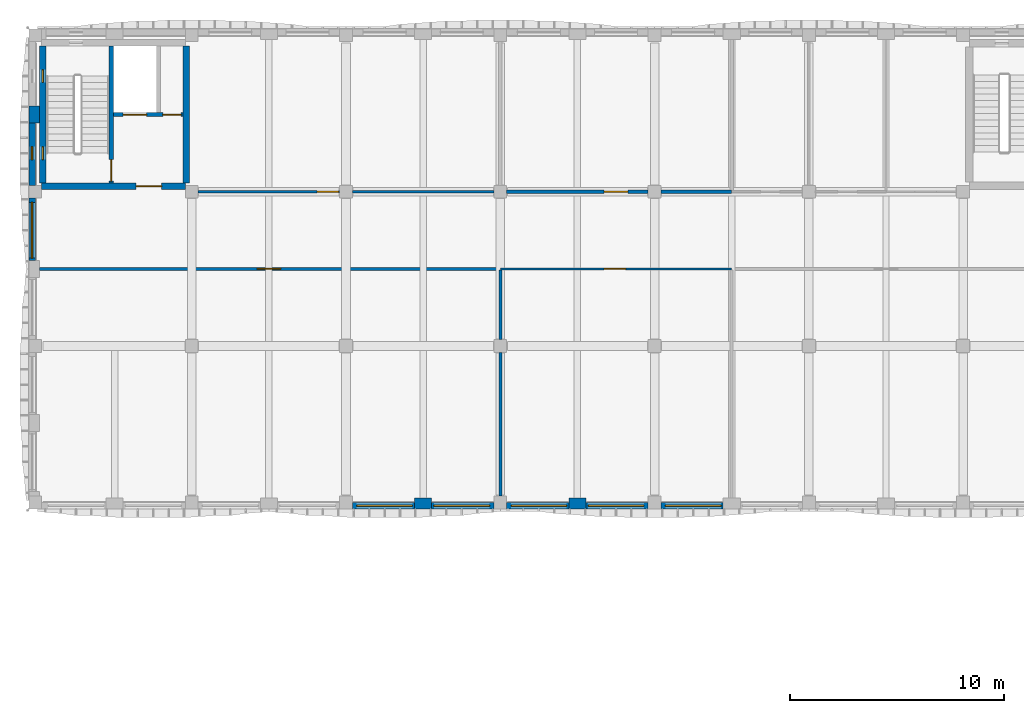
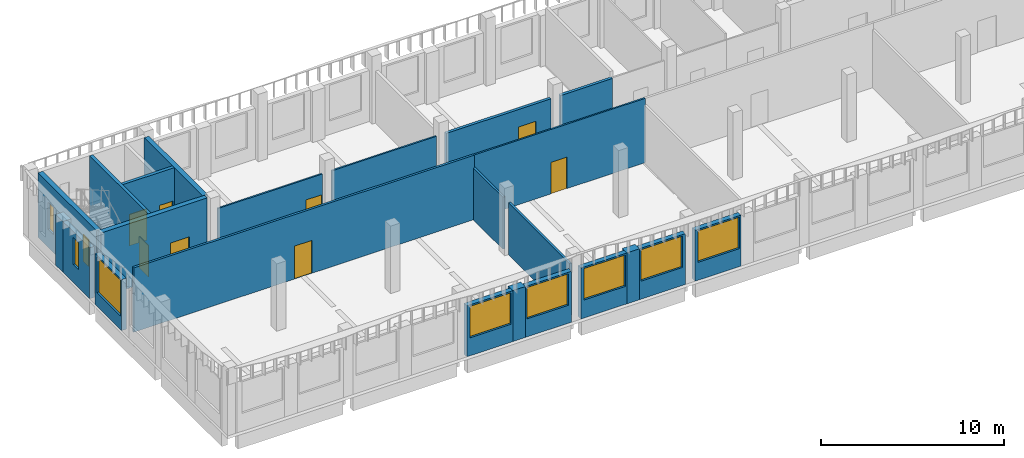
# One storey, part 17 of 44: 23 walls, 9 windows, 8 doors, 17 openings.
"""IFC4 building model written with IfcOpenShell, lengths in metres."""

import ifcopenshell
import ifcopenshell.guid

model = None  # the IFC model being written
_history = None  # IfcOwnerHistory: only IFC2X3 demands one
_inside = {}  # id of a spatial element -> (the spatial element, [elements in it])
_under = {}  # id of a project, library or spatial element -> (it, [spatial elements below it])
_declared = {}  # id of a project -> (the project, [libraries it declares])
_typed = {}  # id of a type object -> (the type object, [elements of that type])
_made_of = {}  # id of a material, layer set ... -> (it, [elements and type objects made of it])


def new_model(schema):
    """Start an empty IFC model of exactly this schema.

    Asked for "IFC4X3", IfcOpenShell would pick the latest addendum, in which some entities
    have other attributes; the version numbers below select the first issue.
    IFC2X3 requires an IfcOwnerHistory on every rooted entity: one is made here for all.
    """
    global model, _history
    if schema == "IFC4X3":
        model = ifcopenshell.file(schema_version=(4, 3, 0, 0))
    else:
        model = ifcopenshell.file(schema=schema)
    _inside.clear()
    _under.clear()
    _declared.clear()
    _typed.clear()
    _made_of.clear()
    _history = None
    if model.schema == "IFC2X3":
        org = make("IfcOrganization", Name="unknown")
        user = make(
            "IfcPersonAndOrganization",
            ThePerson=make("IfcPerson", FamilyName="unknown"),
            TheOrganization=org,
        )
        app = make(
            "IfcApplication",
            ApplicationDeveloper=org,
            Version="unknown",
            ApplicationFullName="unknown",
            ApplicationIdentifier="unknown",
        )
        _history = make(
            "IfcOwnerHistory",
            OwningUser=user,
            OwningApplication=app,
            ChangeAction="ADDED",
            CreationDate=0,
        )
    return model


def make(cls, **values):
    """One entity of the class cls with the attributes given. An attribute that is None is left unset."""
    return model.create_entity(
        cls, **{name: value for name, value in values.items() if value is not None}
    )


def rooted(cls, **values):
    """An entity with a GlobalId (a new one), such as an element, a storey or a relation."""
    return make(cls, GlobalId=ifcopenshell.guid.new(), OwnerHistory=_history, **values)


def si_unit(unit_type, name, prefix=None):
    """IfcSIUnit, for example si_unit("LENGTHUNIT", "METRE", prefix="MILLI")."""
    return make("IfcSIUnit", UnitType=unit_type, Prefix=prefix, Name=name)


def assignment(units):
    """IfcUnitAssignment: the units of a project."""
    return None if units is None else make("IfcUnitAssignment", Units=units)


def point(xyz):
    """IfcCartesianPoint."""
    return None if xyz is None else make("IfcCartesianPoint", Coordinates=xyz)


def direction(xyz):
    """IfcDirection."""
    return None if xyz is None else make("IfcDirection", DirectionRatios=xyz)


def frame(location, z_axis=None, x_axis=None):
    """IfcAxis2Placement3D, a coordinate frame: its origin and axes. An axis left out is left unset."""
    return make(
        "IfcAxis2Placement3D",
        Location=point(location),
        Axis=direction(z_axis),
        RefDirection=direction(x_axis),
    )


def frame_2d(location, x_axis=None):
    """IfcAxis2Placement2D, a coordinate frame in the plane: its origin and x axis."""
    return make(
        "IfcAxis2Placement2D", Location=point(location), RefDirection=direction(x_axis)
    )


def origin():
    """The frame at (0, 0, 0) with its axes left unset."""
    return frame((0.0, 0.0, 0.0))


def place(relative_to, where):
    """IfcLocalPlacement: puts the frame where relative to a parent placement (None: the world)."""
    return make(
        "IfcLocalPlacement", PlacementRelTo=relative_to, RelativePlacement=where
    )


def context(
    kind, dimensions, precision=None, world=None, true_north=None, identifier=None
):
    """IfcGeometricRepresentationContext, for example the 3D "Model" context."""
    return make(
        "IfcGeometricRepresentationContext",
        ContextIdentifier=identifier,
        ContextType=kind,
        CoordinateSpaceDimension=dimensions,
        Precision=precision,
        WorldCoordinateSystem=world,
        TrueNorth=true_north,
    )


def subcontext(parent, identifier, kind, view, scale=None):
    """IfcGeometricRepresentationSubContext, for example "Body" below "Model"."""
    return make(
        "IfcGeometricRepresentationSubContext",
        ContextIdentifier=identifier,
        ContextType=kind,
        ParentContext=parent,
        TargetScale=scale,
        TargetView=view,
    )


def project(units=None, contexts=None):
    """IfcProject with its units and contexts."""
    return rooted(
        "IfcProject",
        Name="project",
        RepresentationContexts=contexts,
        UnitsInContext=assignment(units),
    )


def spatial(cls, under=None, at=None, **own):
    """A site, building, storey or space (cls), placed at a placement, below another one or the project."""
    s = rooted(cls, ObjectPlacement=at, **own)
    if under is not None:
        _under.setdefault(under.id(), (under, []))[1].append(s)
    return s


def profile(cls, at=None, kind="AREA", **sizes):
    """A parametric profile (cls). Its sizes go by their IFC names, for example OverallWidth=200.0."""
    return make(cls, ProfileType=kind, Position=at, **sizes)


def rectangle(**sizes):
    """IfcRectangleProfileDef."""
    return profile("IfcRectangleProfileDef", **sizes)


def extrude(swept, where, along, depth):
    """IfcExtrudedAreaSolid: the profile swept, set in the frame where, extruded along a direction by depth."""
    return make(
        "IfcExtrudedAreaSolid",
        SweptArea=swept,
        Position=where,
        ExtrudedDirection=direction(along),
        Depth=depth,
    )


def shape(context_of_items, identifier, shape_type, items):
    """IfcShapeRepresentation: the items that make up one representation, for example the "Body"."""
    return make(
        "IfcShapeRepresentation",
        ContextOfItems=context_of_items,
        RepresentationIdentifier=identifier,
        RepresentationType=shape_type,
        Items=items,
    )


def material(Name=None, Category=None):
    """IfcMaterial."""
    return make("IfcMaterial", Name=Name, Category=Category)


def layer(
    of_material, thickness, ventilated=None, Name=None, Category=None, Priority=None
):
    """IfcMaterialLayer: one layer of a wall or slab, of a material (None: an air gap)."""
    return make(
        "IfcMaterialLayer",
        Material=of_material,
        LayerThickness=thickness,
        IsVentilated=ventilated,
        Name=Name,
        Category=Category,
        Priority=Priority,
    )


def layer_set(layers, Name=None):
    """IfcMaterialLayerSet."""
    return make("IfcMaterialLayerSet", MaterialLayers=layers, LayerSetName=Name)


def made_of(thing, what):
    """Note that an element or type object is made of a material, layer set ...; save() writes the relation."""
    if what is not None:
        _made_of.setdefault(what.id(), (what, []))[1].append(thing)
    return thing


def type_object(cls, material=None, **own):
    """A type object (cls), such as IfcWallType, which elements share."""
    return made_of(rooted(cls, **own), material)


def element(
    cls,
    number,
    at=None,
    inside=None,
    cuts=None,
    type_object=None,
    material=None,
    context=None,
    identifier="Body",
    shape_type=None,
    held_by="IfcProductDefinitionShape",
    body=None,
    shapes=None,
    **own,
):
    """One element of the class cls, such as IfcWall. Its Tag is "e" and its number.

    at: its placement. inside: the storey or other place that contains it. cuts: it is an
    opening in that element (IfcRelVoidsElement). A single representation is given by context,
    identifier, shape_type and body (its items); several are given by shapes. held_by: the class
    of the entity that holds the representations. save() writes the other relations.
    """
    e = rooted(cls, Tag="e%d" % number, ObjectPlacement=at, **own)
    if body is not None:
        shapes = [shape(context, identifier, shape_type, body)]
    if shapes is not None:
        e.Representation = make(held_by, Representations=shapes)
    if inside is not None:
        _inside.setdefault(inside.id(), (inside, []))[1].append(e)
    if cuts is not None:
        rooted(
            "IfcRelVoidsElement", RelatingBuildingElement=cuts, RelatedOpeningElement=e
        )
    if type_object is not None:
        _typed.setdefault(type_object.id(), (type_object, []))[1].append(e)
    return made_of(e, material)


def fill(opening, filler):
    """IfcRelFillsElement: the door or window that sits in an opening."""
    return rooted(
        "IfcRelFillsElement",
        RelatingOpeningElement=opening,
        RelatedBuildingElement=filler,
    )


def aggregate(whole, parts):
    """IfcRelAggregates: a whole, such as a stair, and the parts it consists of."""
    return rooted("IfcRelAggregates", RelatingObject=whole, RelatedObjects=parts)


def save(model, path):
    """Write the relations noted so far, then the file.

    IfcRelAggregates (storeys below a building ...), IfcRelContainedInSpatialStructure (elements
    in a storey), IfcRelDefinesByType, IfcRelAssociatesMaterial and IfcRelDeclares: one each for
    every whole, place, type object, material and project.
    """
    for whole, parts in _under.values():
        aggregate(whole, parts)
    for where, things in _inside.values():
        rooted(
            "IfcRelContainedInSpatialStructure",
            RelatedElements=things,
            RelatingStructure=where,
        )
    for kind, things in _typed.values():
        rooted("IfcRelDefinesByType", RelatedObjects=things, RelatingType=kind)
    for what, things in _made_of.values():
        rooted("IfcRelAssociatesMaterial", RelatedObjects=things, RelatingMaterial=what)
    for by, libraries in _declared.values():
        rooted("IfcRelDeclares", RelatingContext=by, RelatedDefinitions=libraries)
    model.write(path)


model = new_model("IFC4")

# Units and contexts
model_context = context("Model", 3, precision=1e-05, world=origin(), true_north=direction((0.0, 1.0)))
body_context = subcontext(model_context, "Body", "Model", "MODEL_VIEW")
ifc_project = project(units=[si_unit("LENGTHUNIT", "METRE"), si_unit("AREAUNIT", "SQUARE_METRE"), si_unit("VOLUMEUNIT", "CUBIC_METRE"), si_unit("PLANEANGLEUNIT", "RADIAN"), si_unit("MASSUNIT", "GRAM", prefix="KILO")], contexts=[model_context])

# Site, building, storey
site_placement = place(None, origin())
site = spatial("IfcSite", under=ifc_project, at=site_placement, CompositionType="ELEMENT")
building_placement = place(site_placement, origin())
building = spatial("IfcBuilding", under=site, at=building_placement, Name="Ussher Court Research Institute", CompositionType="ELEMENT")
storey_placement = place(building_placement, frame((0.0, 0.0, 18.89990234375)))
storey = spatial("IfcBuildingStorey", under=building, at=storey_placement, Name="L04", CompositionType="ELEMENT", Elevation=18.89990234375)

# Wall, opening, door
ifc_material_1 = material(Name="Plasterboard on steel studs with mineral wool", Category="steel")
ifc_layer_1 = layer(ifc_material_1, 0.179931640625)
ifc_layer_set_1 = layer_set([ifc_layer_1], Name="Plasterboard on steel studs with mineral wool")
wall_type_1 = type_object("IfcWallType", Name="Acoustic twin-stud partition 180", PredefinedType="PARTITIONING", material=ifc_layer_set_1)
wall_1_placement = place(storey_placement, frame((24.89990234375, 83.199951171875, 0.0), z_axis=(0.0, 0.0, 1.0), x_axis=(1.0, 0.0, 0.0)))
wall_1 = element("IfcWall", 1, at=wall_1_placement, inside=storey, type_object=wall_type_1, Name="Partition", PredefinedType="PARTITIONING", context=body_context, shape_type="SweptSolid", body=[
    extrude(rectangle(XDim=6.60009765625, YDim=0.179931640625, at=frame_2d((3.300048828125, 0.0))), origin(), (0.0, 0.0, 1.0), 3.47021484375),
])
opening_1_placement = place(wall_1_placement, frame((4.550048828125, 0.0, 0.0)))
opening_1 = element("IfcOpeningElement", 2, at=opening_1_placement, cuts=wall_1, Name="Opening D04007", PredefinedType="OPENING", context=body_context, shape_type="SweptSolid", body=[
    extrude(rectangle(XDim=1.10009765625, YDim=2.300048828125, at=frame_2d((0.550048828125, 1.14990234375))), frame((0.0, 0.10009765625, 0.0), z_axis=(0.0, -1.0, 0.0), x_axis=(1.0, 0.0, 0.0)), (0.0, 0.0, 1.0), 0.199951171875),
])
ifc_material_2 = material(Name="Veneered timber door", Category="wood")
door_type_1 = type_object("IfcDoorType", Name="Seminar room door 1100x2300", OperationType="NOTDEFINED", PredefinedType="DOOR", material=ifc_material_2)
door_1_placement = place(opening_1_placement, origin())
door_1 = element("IfcDoor", 3, at=door_1_placement, inside=storey, type_object=door_type_1, Name="Door D04007", OperationType="SINGLE_SWING_RIGHT", OverallHeight=2.300048828125, OverallWidth=1.10009765625, PredefinedType="DOOR", context=body_context, shape_type="SweptSolid", body=[
    extrude(rectangle(XDim=1.10009765625, YDim=2.300048828125, at=frame_2d((0.550048828125, 1.14990234375))), frame((0.0, 0.02490234375, 0.0), z_axis=(0.0, -1.0, 0.0), x_axis=(1.0, 0.0, 0.0)), (0.0, 0.0, 1.0), 0.050048828125),
])
fill(opening_1, door_1)

# Wall
wall_2_placement = place(storey_placement, frame((32.10009765625, 83.199951171875, 0.0), z_axis=(0.0, 0.0, 1.0), x_axis=(1.0, 0.0, 0.0)))
element("IfcWall", 4, at=wall_2_placement, inside=storey, type_object=wall_type_1, Name="Partition", PredefinedType="PARTITIONING", context=body_context, shape_type="SweptSolid", body=[
    extrude(rectangle(XDim=3.2998046875, YDim=0.179931640625, at=frame_2d((1.64990234375, 0.0))), origin(), (0.0, 0.0, 1.0), 3.47021484375),
])

# Wall, opening, window
ifc_material_3 = material(Name="Blockwork with cream render", Category="masonry")
ifc_layer_2 = layer(ifc_material_3, 0.300048828125)
ifc_layer_set_2 = layer_set([ifc_layer_2], Name="Blockwork with cream render")
wall_type_2 = type_object("IfcWallType", Name="External wall 300 cream render", PredefinedType="SOLIDWALL", material=ifc_layer_set_2)
wall_3_placement = place(storey_placement, frame((35.0, 68.550048828125, 0.0), z_axis=(0.0, 0.0, 1.0), x_axis=(-1.0, 0.0, 0.0)))
wall_3 = element("IfcWall", 5, at=wall_3_placement, inside=storey, type_object=wall_type_2, Name="External wall EW1 L04", PredefinedType="SOLIDWALL", context=body_context, shape_type="SweptSolid", body=[
    extrude(rectangle(XDim=2.89990234375, YDim=0.300048828125, at=frame_2d((1.449951171875, 0.0))), origin(), (0.0, 0.0, 1.0), 3.400146484375),
])
opening_2_placement = place(wall_3_placement, frame((0.10009765625, 0.0, 1.199951171875)))
opening_2 = element("IfcOpeningElement", 6, at=opening_2_placement, cuts=wall_3, Name="Opening W08", PredefinedType="OPENING", context=body_context, shape_type="SweptSolid", body=[
    extrude(rectangle(XDim=2.60009765625, YDim=2.10009765625, at=frame_2d((1.300048828125, 1.050048828125))), frame((0.0, 0.16015625, 0.0), z_axis=(0.0, -1.0, 0.0), x_axis=(1.0, 0.0, 0.0)), (0.0, 0.0, 1.0), 0.320068359375),
])
ifc_material_4 = material(Name="Bronze anodised aluminium with double glazing", Category="aluminium")
window_type_1 = type_object("IfcWindowType", Name="Dry laboratory bay window 2600x2100", PartitioningType="DOUBLE_PANEL_VERTICAL", PredefinedType="WINDOW", material=ifc_material_4)
window_1_placement = place(opening_2_placement, origin())
window_1 = element("IfcWindow", 7, at=window_1_placement, inside=storey, type_object=window_type_1, Name="Window W08 L04", OverallHeight=2.10009765625, OverallWidth=2.60009765625, PartitioningType="SINGLE_PANEL", PredefinedType="WINDOW", context=body_context, shape_type="SweptSolid", body=[
    extrude(rectangle(XDim=2.60009765625, YDim=2.10009765625, at=frame_2d((1.300048828125, 1.050048828125))), frame((0.0, 0.030029296875, 0.0), z_axis=(0.0, -1.0, 0.0), x_axis=(1.0, 0.0, 0.0)), (0.0, 0.0, 1.0), 0.06005859375),
])
fill(opening_2, window_1)

wall_4_placement = place(storey_placement, frame((31.5, 68.550048828125, 0.0), z_axis=(0.0, 0.0, 1.0), x_axis=(-1.0, 0.0, 0.0)))
wall_4 = element("IfcWall", 8, at=wall_4_placement, inside=storey, type_object=wall_type_2, Name="External wall EW1 L04", PredefinedType="SOLIDWALL", context=body_context, shape_type="SweptSolid", body=[
    extrude(rectangle(XDim=2.89990234375, YDim=0.300048828125, at=frame_2d((1.449951171875, 0.0))), origin(), (0.0, 0.0, 1.0), 3.400146484375),
])
opening_3_placement = place(wall_4_placement, frame((0.199951171875, 0.0, 1.199951171875)))
opening_3 = element("IfcOpeningElement", 9, at=opening_3_placement, cuts=wall_4, Name="Opening W08", PredefinedType="OPENING", context=body_context, shape_type="SweptSolid", body=[
    extrude(rectangle(XDim=2.60009765625, YDim=2.10009765625, at=frame_2d((1.300048828125, 1.050048828125))), frame((0.0, 0.16015625, 0.0), z_axis=(0.0, -1.0, 0.0), x_axis=(1.0, 0.0, 0.0)), (0.0, 0.0, 1.0), 0.320068359375),
])
window_2_placement = place(opening_3_placement, origin())
window_2 = element("IfcWindow", 10, at=window_2_placement, inside=storey, type_object=window_type_1, Name="Window W08 L04", OverallHeight=2.10009765625, OverallWidth=2.60009765625, PartitioningType="SINGLE_PANEL", PredefinedType="WINDOW", context=body_context, shape_type="SweptSolid", body=[
    extrude(rectangle(XDim=2.60009765625, YDim=2.10009765625, at=frame_2d((1.300048828125, 1.050048828125))), frame((0.0, 0.030029296875, 0.0), z_axis=(0.0, -1.0, 0.0), x_axis=(1.0, 0.0, 0.0)), (0.0, 0.0, 1.0), 0.06005859375),
])
fill(opening_3, window_2)

wall_5_placement = place(storey_placement, frame((27.800048828125, 68.550048828125, 0.0), z_axis=(0.0, 0.0, 1.0), x_axis=(-1.0, 0.0, 0.0)))
wall_5 = element("IfcWall", 11, at=wall_5_placement, inside=storey, type_object=wall_type_2, Name="External wall EW1 L04", PredefinedType="SOLIDWALL", context=body_context, shape_type="SweptSolid", body=[
    extrude(rectangle(XDim=2.900146484375, YDim=0.300048828125, at=frame_2d((1.4501953125, 0.0))), origin(), (0.0, 0.0, 1.0), 3.400146484375),
])
opening_4_placement = place(wall_5_placement, frame((0.10009765625, 0.0, 1.199951171875)))
opening_4 = element("IfcOpeningElement", 12, at=opening_4_placement, cuts=wall_5, Name="Opening W08", PredefinedType="OPENING", context=body_context, shape_type="SweptSolid", body=[
    extrude(rectangle(XDim=2.60009765625, YDim=2.10009765625, at=frame_2d((1.300048828125, 1.050048828125))), frame((0.0, 0.16015625, 0.0), z_axis=(0.0, -1.0, 0.0), x_axis=(1.0, 0.0, 0.0)), (0.0, 0.0, 1.0), 0.320068359375),
])
window_3_placement = place(opening_4_placement, origin())
window_3 = element("IfcWindow", 13, at=window_3_placement, inside=storey, type_object=window_type_1, Name="Window W08 L04", OverallHeight=2.10009765625, OverallWidth=2.60009765625, PartitioningType="SINGLE_PANEL", PredefinedType="WINDOW", context=body_context, shape_type="SweptSolid", body=[
    extrude(rectangle(XDim=2.60009765625, YDim=2.10009765625, at=frame_2d((1.300048828125, 1.050048828125))), frame((0.0, 0.030029296875, 0.0), z_axis=(0.0, -1.0, 0.0), x_axis=(1.0, 0.0, 0.0)), (0.0, 0.0, 1.0), 0.06005859375),
])
fill(opening_4, window_3)

wall_6_placement = place(storey_placement, frame((24.300048828125, 68.550048828125, 0.0), z_axis=(0.0, 0.0, 1.0), x_axis=(-1.0, 0.0, 0.0)))
wall_6 = element("IfcWall", 14, at=wall_6_placement, inside=storey, type_object=wall_type_2, Name="External wall EW1 L04", PredefinedType="SOLIDWALL", context=body_context, shape_type="SweptSolid", body=[
    extrude(rectangle(XDim=2.900146484375, YDim=0.300048828125, at=frame_2d((1.4501953125, 0.0))), origin(), (0.0, 0.0, 1.0), 3.400146484375),
])
opening_5_placement = place(wall_6_placement, frame((0.199951171875, 0.0, 1.199951171875)))
opening_5 = element("IfcOpeningElement", 15, at=opening_5_placement, cuts=wall_6, Name="Opening W08", PredefinedType="OPENING", context=body_context, shape_type="SweptSolid", body=[
    extrude(rectangle(XDim=2.60009765625, YDim=2.10009765625, at=frame_2d((1.300048828125, 1.050048828125))), frame((0.0, 0.16015625, 0.0), z_axis=(0.0, -1.0, 0.0), x_axis=(1.0, 0.0, 0.0)), (0.0, 0.0, 1.0), 0.320068359375),
])
window_4_placement = place(opening_5_placement, origin())
window_4 = element("IfcWindow", 16, at=window_4_placement, inside=storey, type_object=window_type_1, Name="Window W08 L04", OverallHeight=2.10009765625, OverallWidth=2.60009765625, PartitioningType="SINGLE_PANEL", PredefinedType="WINDOW", context=body_context, shape_type="SweptSolid", body=[
    extrude(rectangle(XDim=2.60009765625, YDim=2.10009765625, at=frame_2d((1.300048828125, 1.050048828125))), frame((0.0, 0.030029296875, 0.0), z_axis=(0.0, -1.0, 0.0), x_axis=(1.0, 0.0, 0.0)), (0.0, 0.0, 1.0), 0.06005859375),
])
fill(opening_5, window_4)

wall_7_placement = place(storey_placement, frame((20.60009765625, 68.550048828125, 0.0), z_axis=(0.0, 0.0, 1.0), x_axis=(-1.0, 0.0, 0.0)))
wall_7 = element("IfcWall", 17, at=wall_7_placement, inside=storey, type_object=wall_type_2, Name="External wall EW1 L04", PredefinedType="SOLIDWALL", context=body_context, shape_type="SweptSolid", body=[
    extrude(rectangle(XDim=2.900146484375, YDim=0.300048828125, at=frame_2d((1.4501953125, 0.0))), origin(), (0.0, 0.0, 1.0), 3.400146484375),
])
opening_6_placement = place(wall_7_placement, frame((0.10009765625, 0.0, 1.199951171875)))
opening_6 = element("IfcOpeningElement", 18, at=opening_6_placement, cuts=wall_7, Name="Opening W08", PredefinedType="OPENING", context=body_context, shape_type="SweptSolid", body=[
    extrude(rectangle(XDim=2.60009765625, YDim=2.10009765625, at=frame_2d((1.300048828125, 1.050048828125))), frame((0.0, 0.16015625, 0.0), z_axis=(0.0, -1.0, 0.0), x_axis=(1.0, 0.0, 0.0)), (0.0, 0.0, 1.0), 0.320068359375),
])
window_5_placement = place(opening_6_placement, origin())
window_5 = element("IfcWindow", 19, at=window_5_placement, inside=storey, type_object=window_type_1, Name="Window W08 L04", OverallHeight=2.10009765625, OverallWidth=2.60009765625, PartitioningType="SINGLE_PANEL", PredefinedType="WINDOW", context=body_context, shape_type="SweptSolid", body=[
    extrude(rectangle(XDim=2.60009765625, YDim=2.10009765625, at=frame_2d((1.300048828125, 1.050048828125))), frame((0.0, 0.030029296875, 0.0), z_axis=(0.0, -1.0, 0.0), x_axis=(1.0, 0.0, 0.0)), (0.0, 0.0, 1.0), 0.06005859375),
])
fill(opening_6, window_5)

wall_8_placement = place(storey_placement, frame((2.75, 80.0, 0.0), z_axis=(0.0, 0.0, 1.0), x_axis=(0.0, 1.0, 0.0)))
wall_8 = element("IfcWall", 20, at=wall_8_placement, inside=storey, type_object=wall_type_2, Name="External wall EW1 L04", PredefinedType="SOLIDWALL", context=body_context, shape_type="SweptSolid", body=[
    extrude(rectangle(XDim=2.89990234375, YDim=0.300048828125, at=frame_2d((1.449951171875, 0.0))), origin(), (0.0, 0.0, 1.0), 3.400146484375),
])
opening_7_placement = place(wall_8_placement, frame((0.10009765625, 0.0, 0.89990234375)))
opening_7 = element("IfcOpeningElement", 21, at=opening_7_placement, cuts=wall_8, Name="Opening W01", PredefinedType="OPENING", context=body_context, shape_type="SweptSolid", body=[
    extrude(rectangle(XDim=2.60009765625, YDim=2.39990234375, at=frame_2d((1.300048828125, 1.199951171875))), frame((0.0, 0.16015625, 0.0), z_axis=(0.0, -1.0, 0.0), x_axis=(1.0, 0.0, 0.0)), (0.0, 0.0, 1.0), 0.320068359375),
])
ifc_material_5 = material(Name="Bronze anodised aluminium with double glazing", Category="aluminium")
window_type_2 = type_object("IfcWindowType", Name="Laboratory bay window 2600x2400", PartitioningType="DOUBLE_PANEL_VERTICAL", PredefinedType="WINDOW", material=ifc_material_5)
window_6_placement = place(opening_7_placement, origin())
window_6 = element("IfcWindow", 22, at=window_6_placement, inside=storey, type_object=window_type_2, Name="Window W01 L04", OverallHeight=2.39990234375, OverallWidth=2.60009765625, PartitioningType="SINGLE_PANEL", PredefinedType="WINDOW", context=body_context, shape_type="SweptSolid", body=[
    extrude(rectangle(XDim=2.60009765625, YDim=2.39990234375, at=frame_2d((1.300048828125, 1.199951171875))), frame((0.0, 0.030029296875, 0.0), z_axis=(0.0, -1.0, 0.0), x_axis=(1.0, 0.0, 0.0)), (0.0, 0.0, 1.0), 0.06005859375),
])
fill(opening_7, window_6)

ifc_material_6 = material(Name="Limestone facing on blockwork", Category="masonry")
ifc_layer_3 = layer(ifc_material_6, 0.300048828125)
ifc_layer_set_3 = layer_set([ifc_layer_3], Name="Limestone facing on blockwork")
wall_type_3 = type_object("IfcWallType", Name="External wall 300 stair enclosure", PredefinedType="SOLIDWALL", material=ifc_layer_set_3)
wall_9_placement = place(storey_placement, frame((2.75, 83.5, 0.0), z_axis=(0.0, 0.0, 1.0), x_axis=(0.0, 1.0, 0.0)))
wall_9 = element("IfcWall", 23, at=wall_9_placement, inside=storey, type_object=wall_type_3, Name="External wall EW5 L04", PredefinedType="SOLIDWALL", context=body_context, shape_type="SweptSolid", body=[
    extrude(rectangle(XDim=2.89990234375, YDim=0.300048828125, at=frame_2d((1.449951171875, 0.0))), origin(), (0.0, 0.0, 1.0), 3.400146484375),
])
opening_8_placement = place(wall_9_placement, frame((1.199951171875, 0.0, 1.199951171875)))
opening_8 = element("IfcOpeningElement", 24, at=opening_8_placement, cuts=wall_9, Name="Opening W25", PredefinedType="OPENING", context=body_context, shape_type="SweptSolid", body=[
    extrude(rectangle(XDim=0.60009765625, YDim=1.800048828125, at=frame_2d((0.300048828125, 0.89990234375))), frame((0.0, 0.16015625, 0.0), z_axis=(0.0, -1.0, 0.0), x_axis=(1.0, 0.0, 0.0)), (0.0, 0.0, 1.0), 0.320068359375),
])
ifc_material_7 = material(Name="Bronze anodised aluminium with double glazing", Category="aluminium")
window_type_3 = type_object("IfcWindowType", Name="Stair light slot window 600x1800 fire-resisting glazing", PartitioningType="SINGLE_PANEL", PredefinedType="WINDOW", material=ifc_material_7)
window_7_placement = place(opening_8_placement, origin())
window_7 = element("IfcWindow", 25, at=window_7_placement, inside=storey, type_object=window_type_3, Name="Window W25 L04", OverallHeight=1.800048828125, OverallWidth=0.60009765625, PartitioningType="SINGLE_PANEL", PredefinedType="WINDOW", context=body_context, shape_type="SweptSolid", body=[
    extrude(rectangle(XDim=0.60009765625, YDim=1.800048828125, at=frame_2d((0.300048828125, 0.89990234375))), frame((0.0, 0.030029296875, 0.0), z_axis=(0.0, -1.0, 0.0), x_axis=(1.0, 0.0, 0.0)), (0.0, 0.0, 1.0), 0.06005859375),
])
fill(opening_8, window_7)

# Wall, opening, door
ifc_material_8 = material(Name="Plastered blockwork", Category="masonry")
ifc_layer_4 = layer(ifc_material_8, 0.139892578125)
ifc_layer_set_4 = layer_set([ifc_layer_4], Name="Plastered blockwork")
wall_type_4 = type_object("IfcWallType", Name="Laboratory blockwork partition 140", PredefinedType="PARTITIONING", material=ifc_layer_set_4)
wall_10_placement = place(storey_placement, frame((24.60009765625, 79.60009765625, 0.0), z_axis=(0.0, 0.0, 1.0), x_axis=(-1.0, 0.0, 0.0)))
wall_10 = element("IfcWall", 26, at=wall_10_placement, inside=storey, type_object=wall_type_4, Name="Partition", PredefinedType="PARTITIONING", context=body_context, shape_type="SweptSolid", body=[
    extrude(rectangle(XDim=21.5, YDim=0.139892578125, at=frame_2d((10.75, 0.0))), origin(), (0.0, 0.0, 1.0), 4.300048828125),
])
opening_9_placement = place(wall_10_placement, frame((10.25, 0.0, 0.0)))
opening_9 = element("IfcOpeningElement", 27, at=opening_9_placement, cuts=wall_10, Name="Opening D04004", PredefinedType="OPENING", context=body_context, shape_type="SweptSolid", body=[
    extrude(rectangle(XDim=1.10009765625, YDim=2.199951171875, at=frame_2d((0.550048828125, 1.10009765625))), frame((0.0, 0.080078125, 0.0), z_axis=(0.0, -1.0, 0.0), x_axis=(1.0, 0.0, 0.0)), (0.0, 0.0, 1.0), 0.159912109375),
])
ifc_material_9 = material(Name="Veneered timber door", Category="wood")
door_type_2 = type_object("IfcDoorType", Name="Computing laboratory door 1100x2200", OperationType="NOTDEFINED", PredefinedType="DOOR", material=ifc_material_9)
door_2_placement = place(opening_9_placement, origin())
door_2 = element("IfcDoor", 28, at=door_2_placement, inside=storey, type_object=door_type_2, Name="Door D04004", OperationType="SINGLE_SWING_RIGHT", OverallHeight=2.199951171875, OverallWidth=1.10009765625, PredefinedType="DOOR", context=body_context, shape_type="SweptSolid", body=[
    extrude(rectangle(XDim=1.10009765625, YDim=2.199951171875, at=frame_2d((0.550048828125, 1.10009765625))), frame((0.0, 0.02490234375, 0.0), z_axis=(0.0, -1.0, 0.0), x_axis=(1.0, 0.0, 0.0)), (0.0, 0.0, 1.0), 0.050048828125),
])
fill(opening_9, door_2)

# Walls
wall_11_placement = place(storey_placement, frame((24.60009765625, 69.0, 0.0), z_axis=(0.0, 0.0, 1.0), x_axis=(0.0, 1.0, 0.0)))
element("IfcWall", 29, at=wall_11_placement, inside=storey, type_object=wall_type_4, Name="Partition", PredefinedType="PARTITIONING", context=body_context, shape_type="SweptSolid", body=[
    extrude(rectangle(XDim=6.699951171875, YDim=0.139892578125, at=frame_2d((3.35009765625, 0.0))), origin(), (0.0, 0.0, 1.0), 3.47021484375),
])
wall_12_placement = place(storey_placement, frame((24.60009765625, 76.300048828125, 0.0), z_axis=(0.0, 0.0, 1.0), x_axis=(0.0, 1.0, 0.0)))
element("IfcWall", 30, at=wall_12_placement, inside=storey, type_object=wall_type_4, Name="Partition", PredefinedType="PARTITIONING", context=body_context, shape_type="SweptSolid", body=[
    extrude(rectangle(XDim=3.25, YDim=0.139892578125, at=frame_2d((1.625, 0.0))), origin(), (0.0, 0.0, 1.0), 3.47021484375),
])

# Wall, opening, door
ifc_material_10 = material(Name="Plastered blockwork", Category="masonry")
ifc_layer_5 = layer(ifc_material_10, 0.10009765625)
ifc_layer_set_5 = layer_set([ifc_layer_5], Name="Plastered blockwork")
wall_type_5 = type_object("IfcWallType", Name="Partition plastered blockwork 100", PredefinedType="PARTITIONING", material=ifc_layer_set_5)
wall_13_placement = place(storey_placement, frame((35.39990234375, 79.60009765625, 0.0), z_axis=(0.0, 0.0, 1.0), x_axis=(-1.0, 0.0, 0.0)))
wall_13 = element("IfcWall", 31, at=wall_13_placement, inside=storey, type_object=wall_type_5, Name="Partition", PredefinedType="PARTITIONING", context=body_context, shape_type="SweptSolid", body=[
    extrude(rectangle(XDim=10.7998046875, YDim=0.10009765625, at=frame_2d((5.39990234375, 0.0))), origin(), (0.0, 0.0, 1.0), 4.300048828125),
])
opening_10_placement = place(wall_13_placement, frame((4.949951171875, 0.0, 0.0)))
opening_10 = element("IfcOpeningElement", 32, at=opening_10_placement, cuts=wall_13, Name="Opening D04006", PredefinedType="OPENING", context=body_context, shape_type="SweptSolid", body=[
    extrude(rectangle(XDim=1.0, YDim=2.10009765625, at=frame_2d((0.5, 1.050048828125))), frame((0.0, 0.06005859375, 0.0), z_axis=(0.0, -1.0, 0.0), x_axis=(1.0, 0.0, 0.0)), (0.0, 0.0, 1.0), 0.1201171875),
])
ifc_material_11 = material(Name="Veneered timber door", Category="wood")
door_type_3 = type_object("IfcDoorType", Name="Office door 1000x2100", OperationType="NOTDEFINED", PredefinedType="DOOR", material=ifc_material_11)
door_3_placement = place(opening_10_placement, origin())
door_3 = element("IfcDoor", 33, at=door_3_placement, inside=storey, type_object=door_type_3, Name="Door D04006", OperationType="SINGLE_SWING_RIGHT", OverallHeight=2.10009765625, OverallWidth=1.0, PredefinedType="DOOR", context=body_context, shape_type="SweptSolid", body=[
    extrude(rectangle(XDim=1.0, YDim=2.10009765625, at=frame_2d((0.5, 1.050048828125))), frame((0.0, 0.02490234375, 0.0), z_axis=(0.0, -1.0, 0.0), x_axis=(1.0, 0.0, 0.0)), (0.0, 0.0, 1.0), 0.050048828125),
])
fill(opening_10, door_3)

wall_14_placement = place(storey_placement, frame((10.5, 83.199951171875, 0.0), z_axis=(0.0, 0.0, 1.0), x_axis=(1.0, 0.0, 0.0)))
wall_14 = element("IfcWall", 34, at=wall_14_placement, inside=storey, type_object=wall_type_5, Name="Partition", PredefinedType="PARTITIONING", context=body_context, shape_type="SweptSolid", body=[
    extrude(rectangle(XDim=6.60009765625, YDim=0.10009765625, at=frame_2d((3.300048828125, 0.0))), origin(), (0.0, 0.0, 1.0), 3.47021484375),
])
opening_11_placement = place(wall_14_placement, frame((5.550048828125, 0.0, 0.0)))
opening_11 = element("IfcOpeningElement", 35, at=opening_11_placement, cuts=wall_14, Name="Opening D04005", PredefinedType="OPENING", context=body_context, shape_type="SweptSolid", body=[
    extrude(rectangle(XDim=1.0, YDim=2.10009765625, at=frame_2d((0.5, 1.050048828125))), frame((0.0, 0.06005859375, 0.0), z_axis=(0.0, -1.0, 0.0), x_axis=(1.0, 0.0, 0.0)), (0.0, 0.0, 1.0), 0.1201171875),
])
door_4_placement = place(opening_11_placement, origin())
door_4 = element("IfcDoor", 36, at=door_4_placement, inside=storey, type_object=door_type_3, Name="Door D04005", OperationType="SINGLE_SWING_RIGHT", OverallHeight=2.10009765625, OverallWidth=1.0, PredefinedType="DOOR", context=body_context, shape_type="SweptSolid", body=[
    extrude(rectangle(XDim=1.0, YDim=2.10009765625, at=frame_2d((0.5, 1.050048828125))), frame((0.0, 0.02490234375, 0.0), z_axis=(0.0, -1.0, 0.0), x_axis=(1.0, 0.0, 0.0)), (0.0, 0.0, 1.0), 0.050048828125),
])
fill(opening_11, door_4)

# Walls
wall_15_placement = place(storey_placement, frame((17.699951171875, 83.199951171875, 0.0), z_axis=(0.0, 0.0, 1.0), x_axis=(1.0, 0.0, 0.0)))
element("IfcWall", 37, at=wall_15_placement, inside=storey, type_object=wall_type_5, Name="Partition", PredefinedType="PARTITIONING", context=body_context, shape_type="SweptSolid", body=[
    extrude(rectangle(XDim=6.60009765625, YDim=0.10009765625, at=frame_2d((3.300048828125, 0.0))), origin(), (0.0, 0.0, 1.0), 3.47021484375),
])
ifc_material_12 = material(Name="Blockwork with cream render", Category="masonry")
ifc_layer_6 = layer(ifc_material_12, 0.5)
ifc_layer_set_6 = layer_set([ifc_layer_6], Name="Blockwork with cream render")
wall_type_6 = type_object("IfcWallType", Name="Pier 800x500 cream render", PredefinedType="SOLIDWALL", material=ifc_layer_set_6)
wall_16_placement = place(storey_placement, frame((28.60009765625, 68.64990234375, 0.0), z_axis=(0.0, 0.0, 1.0), x_axis=(-1.0, 0.0, 0.0)))
element("IfcWall", 38, at=wall_16_placement, inside=storey, type_object=wall_type_6, Name="Pier PR1 L04", PredefinedType="SOLIDWALL", context=body_context, shape_type="SweptSolid", body=[
    extrude(rectangle(XDim=0.800048828125, YDim=0.5, at=frame_2d((0.39990234375, 0.0))), origin(), (0.0, 0.0, 1.0), 3.400146484375),
])
wall_17_placement = place(storey_placement, frame((21.39990234375, 68.64990234375, 0.0), z_axis=(0.0, 0.0, 1.0), x_axis=(-1.0, 0.0, 0.0)))
element("IfcWall", 39, at=wall_17_placement, inside=storey, type_object=wall_type_6, Name="Pier PR1 L04", PredefinedType="SOLIDWALL", context=body_context, shape_type="SweptSolid", body=[
    extrude(rectangle(XDim=0.7998046875, YDim=0.5, at=frame_2d((0.39990234375, 0.0))), origin(), (0.0, 0.0, 1.0), 3.400146484375),
])
wall_18_placement = place(storey_placement, frame((2.85009765625, 86.39990234375, 0.0), z_axis=(0.0, 0.0, 1.0), x_axis=(0.0, 1.0, 0.0)))
element("IfcWall", 40, at=wall_18_placement, inside=storey, type_object=wall_type_6, Name="Pier PR1 L04", PredefinedType="SOLIDWALL", context=body_context, shape_type="SweptSolid", body=[
    extrude(rectangle(XDim=0.800048828125, YDim=0.5, at=frame_2d((0.39990234375, 0.0))), origin(), (0.0, 0.0, 1.0), 3.400146484375),
])

# Wall, opening, door
ifc_material_13 = material(Name="Concrete C35/45", Category="concrete")
ifc_layer_7 = layer(ifc_material_13, 0.199951171875)
ifc_layer_set_7 = layer_set([ifc_layer_7], Name="Concrete C35/45")
wall_type_7 = type_object("IfcWallType", Name="RC core wall 200", PredefinedType="SHEAR", material=ifc_layer_set_7)
wall_19_placement = place(storey_placement, frame((6.449951171875, 83.60009765625, 0.0), z_axis=(0.0, 0.0, 1.0), x_axis=(0.0, 1.0, 0.0)))
wall_19 = element("IfcWall", 41, at=wall_19_placement, inside=storey, type_object=wall_type_7, Name="Core wall D1", PredefinedType="SHEAR", context=body_context, shape_type="SweptSolid", body=[
    extrude(rectangle(XDim=6.39990234375, YDim=0.199951171875, at=frame_2d((3.199951171875, 0.0))), origin(), (0.0, 0.0, 1.0), 4.300048828125),
])
opening_12_placement = place(wall_19_placement, frame((0.10009765625, 0.0, 0.0)))
opening_12 = element("IfcOpeningElement", 42, at=opening_12_placement, cuts=wall_19, Name="Opening D04001", PredefinedType="OPENING", context=body_context, shape_type="SweptSolid", body=[
    extrude(rectangle(XDim=1.0, YDim=2.10009765625, at=frame_2d((0.5, 1.050048828125))), frame((0.0, 0.10986328125, 0.0), z_axis=(0.0, -1.0, 0.0), x_axis=(1.0, 0.0, 0.0)), (0.0, 0.0, 1.0), 0.219970703125),
])
ifc_material_14 = material(Name="Painted steel faced fire door", Category="steel")
door_type_4 = type_object("IfcDoorType", Name="Fire door 1000x2100 FD60", OperationType="NOTDEFINED", PredefinedType="DOOR", material=ifc_material_14)
door_5_placement = place(opening_12_placement, origin())
door_5 = element("IfcDoor", 43, at=door_5_placement, inside=storey, type_object=door_type_4, Name="Door D04001", OperationType="SINGLE_SWING_LEFT", OverallHeight=2.10009765625, OverallWidth=1.0, PredefinedType="DOOR", context=body_context, shape_type="SweptSolid", body=[
    extrude(rectangle(XDim=1.0, YDim=2.10009765625, at=frame_2d((0.5, 1.050048828125))), frame((0.0, 0.02490234375, 0.0), z_axis=(0.0, -1.0, 0.0), x_axis=(1.0, 0.0, 0.0)), (0.0, 0.0, 1.0), 0.050048828125),
])
fill(opening_12, door_5)

# Wall, openings, doors
wall_20_placement = place(storey_placement, frame((9.800048828125, 86.800048828125, 0.0), z_axis=(0.0, 0.0, 1.0), x_axis=(-1.0, 0.0, 0.0)))
wall_20 = element("IfcWall", 44, at=wall_20_placement, inside=storey, type_object=wall_type_7, Name="Core wall D1", PredefinedType="SHEAR", context=body_context, shape_type="SweptSolid", body=[
    extrude(rectangle(XDim=3.25, YDim=0.199951171875, at=frame_2d((1.625, 0.0))), origin(), (0.0, 0.0, 1.0), 4.300048828125),
])
opening_13_placement = place(wall_20_placement, frame((1.699951171875, 0.0, 0.0)))
opening_13 = element("IfcOpeningElement", 45, at=opening_13_placement, cuts=wall_20, Name="Opening LD50", PredefinedType="OPENING", context=body_context, shape_type="SweptSolid", body=[
    extrude(rectangle(XDim=1.10009765625, YDim=2.10009765625, at=frame_2d((0.550048828125, 1.050048828125))), frame((0.0, 0.10986328125, 0.0), z_axis=(0.0, -1.0, 0.0), x_axis=(1.0, 0.0, 0.0)), (0.0, 0.0, 1.0), 0.219970703125),
])
opening_14_placement = place(wall_20_placement, frame((0.10009765625, 0.0, 0.0)))
opening_14 = element("IfcOpeningElement", 46, at=opening_14_placement, cuts=wall_20, Name="Opening D04003", PredefinedType="OPENING", context=body_context, shape_type="SweptSolid", body=[
    extrude(rectangle(XDim=0.85009765625, YDim=2.10009765625, at=frame_2d((0.425048828125, 1.050048828125))), frame((0.0, 0.10986328125, 0.0), z_axis=(0.0, -1.0, 0.0), x_axis=(1.0, 0.0, 0.0)), (0.0, 0.0, 1.0), 0.219970703125),
])
ifc_material_15 = material(Name="Painted steel faced fire door", Category="steel")
door_type_5 = type_object("IfcDoorType", Name="Fire door 850x2100 FD60", OperationType="NOTDEFINED", PredefinedType="DOOR", material=ifc_material_15)
door_6_placement = place(opening_14_placement, origin())
door_6 = element("IfcDoor", 47, at=door_6_placement, inside=storey, type_object=door_type_5, Name="Door D04003", OperationType="SINGLE_SWING_LEFT", OverallHeight=2.10009765625, OverallWidth=0.85009765625, PredefinedType="DOOR", context=body_context, shape_type="SweptSolid", body=[
    extrude(rectangle(XDim=0.85009765625, YDim=2.10009765625, at=frame_2d((0.425048828125, 1.050048828125))), frame((0.0, 0.02490234375, 0.0), z_axis=(0.0, -1.0, 0.0), x_axis=(1.0, 0.0, 0.0)), (0.0, 0.0, 1.0), 0.050048828125),
])
fill(opening_14, door_6)
ifc_material_16 = material(Name="Stainless steel lift door", Category="steel")
door_type_6 = type_object("IfcDoorType", Name="Lift landing door 1100x2100 sliding", OperationType="DOUBLE_DOOR_SLIDING", PredefinedType="DOOR", material=ifc_material_16)
door_7_placement = place(opening_13_placement, origin())
door_7 = element("IfcDoor", 48, at=door_7_placement, inside=storey, type_object=door_type_6, Name="Landing door D1-1 L04", OperationType="DOUBLE_DOOR_SLIDING", OverallHeight=2.10009765625, OverallWidth=1.10009765625, PredefinedType="DOOR", context=body_context, shape_type="SweptSolid", body=[
    extrude(rectangle(XDim=1.10009765625, YDim=2.10009765625, at=frame_2d((0.550048828125, 1.050048828125))), frame((0.0, 0.02490234375, 0.0), z_axis=(0.0, -1.0, 0.0), x_axis=(1.0, 0.0, 0.0)), (0.0, 0.0, 1.0), 0.050048828125),
])
fill(opening_13, door_7)

# Wall, opening, door
ifc_material_17 = material(Name="Concrete C35/45", Category="concrete")
ifc_layer_8 = layer(ifc_material_17, 0.300048828125)
ifc_layer_set_8 = layer_set([ifc_layer_8], Name="Concrete C35/45")
wall_type_8 = type_object("IfcWallType", Name="RC core wall 300", PredefinedType="SHEAR", material=ifc_layer_set_8)
wall_21_placement = place(storey_placement, frame((3.199951171875, 83.449951171875, 0.0), z_axis=(0.0, 0.0, 1.0), x_axis=(1.0, 0.0, 0.0)))
wall_21 = element("IfcWall", 49, at=wall_21_placement, inside=storey, type_object=wall_type_8, Name="Core wall D1", PredefinedType="SHEAR", context=body_context, shape_type="SweptSolid", body=[
    extrude(rectangle(XDim=6.699951171875, YDim=0.300048828125, at=frame_2d((3.35009765625, 0.0))), origin(), (0.0, 0.0, 1.0), 4.300048828125),
])
opening_15_placement = place(wall_21_placement, frame((4.39990234375, 0.0, 0.0)))
opening_15 = element("IfcOpeningElement", 50, at=opening_15_placement, cuts=wall_21, Name="Opening D04002", PredefinedType="OPENING", context=body_context, shape_type="SweptSolid", body=[
    extrude(rectangle(XDim=1.199951171875, YDim=2.10009765625, at=frame_2d((0.60009765625, 1.050048828125))), frame((0.0, 0.16015625, 0.0), z_axis=(0.0, -1.0, 0.0), x_axis=(1.0, 0.0, 0.0)), (0.0, 0.0, 1.0), 0.320068359375),
])
ifc_material_18 = material(Name="Painted steel faced fire door", Category="steel")
door_type_7 = type_object("IfcDoorType", Name="Fire door 1200x2100 FD60", OperationType="NOTDEFINED", PredefinedType="DOOR", material=ifc_material_18)
door_8_placement = place(opening_15_placement, origin())
door_8 = element("IfcDoor", 51, at=door_8_placement, inside=storey, type_object=door_type_7, Name="Door D04002", OperationType="SINGLE_SWING_RIGHT", OverallHeight=2.10009765625, OverallWidth=1.199951171875, PredefinedType="DOOR", context=body_context, shape_type="SweptSolid", body=[
    extrude(rectangle(XDim=1.199951171875, YDim=2.10009765625, at=frame_2d((0.60009765625, 1.050048828125))), frame((0.0, 0.02490234375, 0.0), z_axis=(0.0, -1.0, 0.0), x_axis=(1.0, 0.0, 0.0)), (0.0, 0.0, 1.0), 0.050048828125),
])
fill(opening_15, door_8)

# Wall, openings, windows
wall_22_placement = place(storey_placement, frame((3.25, 83.60009765625, 0.0), z_axis=(0.0, 0.0, 1.0), x_axis=(0.0, 1.0, 0.0)))
wall_22 = element("IfcWall", 52, at=wall_22_placement, inside=storey, type_object=wall_type_8, Name="Core wall D1", PredefinedType="SHEAR", context=body_context, shape_type="SweptSolid", body=[
    extrude(rectangle(XDim=6.39990234375, YDim=0.300048828125, at=frame_2d((3.199951171875, 0.0))), origin(), (0.0, 0.0, 1.0), 4.300048828125),
])
opening_16_placement = place(wall_22_placement, frame((1.10009765625, 0.0, 1.199951171875)))
opening_16 = element("IfcOpeningElement", 53, at=opening_16_placement, cuts=wall_22, Name="Opening W25", PredefinedType="OPENING", context=body_context, shape_type="SweptSolid", body=[
    extrude(rectangle(XDim=0.60009765625, YDim=1.800048828125, at=frame_2d((0.300048828125, 0.89990234375))), frame((0.0, 0.16015625, 0.0), z_axis=(0.0, -1.0, 0.0), x_axis=(1.0, 0.0, 0.0)), (0.0, 0.0, 1.0), 0.320068359375),
])
opening_17_placement = place(wall_22_placement, frame((4.699951171875, 0.0, 1.199951171875)))
opening_17 = element("IfcOpeningElement", 54, at=opening_17_placement, cuts=wall_22, Name="Opening W25", PredefinedType="OPENING", context=body_context, shape_type="SweptSolid", body=[
    extrude(rectangle(XDim=0.60009765625, YDim=1.800048828125, at=frame_2d((0.300048828125, 0.89990234375))), frame((0.0, 0.16015625, 0.0), z_axis=(0.0, -1.0, 0.0), x_axis=(1.0, 0.0, 0.0)), (0.0, 0.0, 1.0), 0.320068359375),
])
window_8_placement = place(opening_16_placement, origin())
window_8 = element("IfcWindow", 55, at=window_8_placement, inside=storey, type_object=window_type_3, Name="Window stair light D1 L04", OverallHeight=1.800048828125, OverallWidth=0.60009765625, PartitioningType="SINGLE_PANEL", PredefinedType="WINDOW", context=body_context, shape_type="SweptSolid", body=[
    extrude(rectangle(XDim=0.60009765625, YDim=1.800048828125, at=frame_2d((0.300048828125, 0.89990234375))), frame((0.0, 0.030029296875, 0.0), z_axis=(0.0, -1.0, 0.0), x_axis=(1.0, 0.0, 0.0)), (0.0, 0.0, 1.0), 0.06005859375),
])
fill(opening_16, window_8)
window_9_placement = place(opening_17_placement, origin())
window_9 = element("IfcWindow", 56, at=window_9_placement, inside=storey, type_object=window_type_3, Name="Window stair light D1 L04", OverallHeight=1.800048828125, OverallWidth=0.60009765625, PartitioningType="SINGLE_PANEL", PredefinedType="WINDOW", context=body_context, shape_type="SweptSolid", body=[
    extrude(rectangle(XDim=0.60009765625, YDim=1.800048828125, at=frame_2d((0.300048828125, 0.89990234375))), frame((0.0, 0.030029296875, 0.0), z_axis=(0.0, -1.0, 0.0), x_axis=(1.0, 0.0, 0.0)), (0.0, 0.0, 1.0), 0.06005859375),
])
fill(opening_17, window_9)

# Wall
wall_23_placement = place(storey_placement, frame((9.949951171875, 83.60009765625, 0.0), z_axis=(0.0, 0.0, 1.0), x_axis=(0.0, 1.0, 0.0)))
element("IfcWall", 57, at=wall_23_placement, inside=storey, type_object=wall_type_8, Name="Core wall D1", PredefinedType="SHEAR", context=body_context, shape_type="SweptSolid", body=[
    extrude(rectangle(XDim=6.39990234375, YDim=0.300048828125, at=frame_2d((3.199951171875, 0.0))), origin(), (0.0, 0.0, 1.0), 4.300048828125),
])

save(model, "model.ifc")
